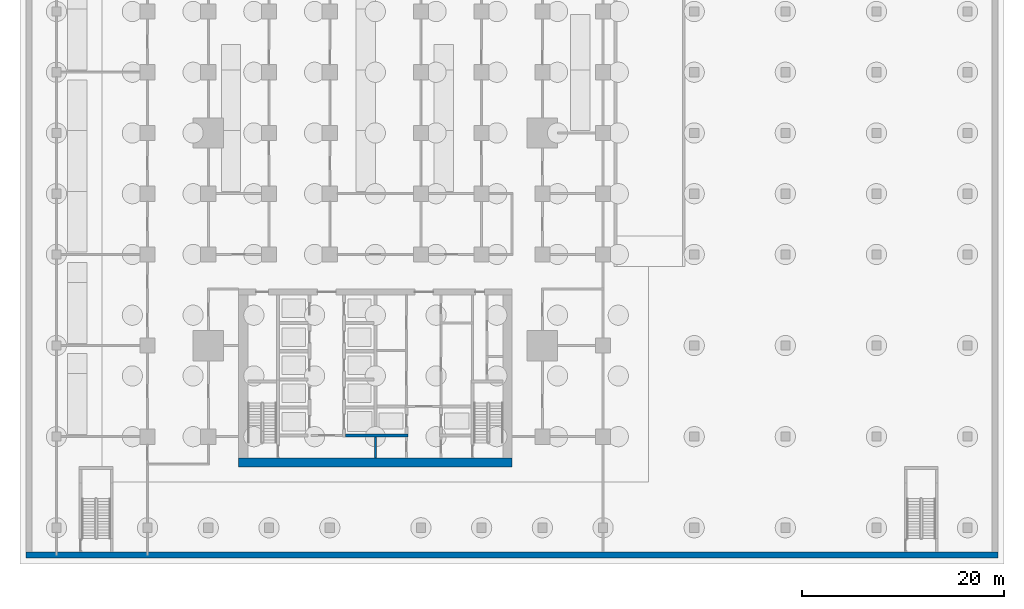
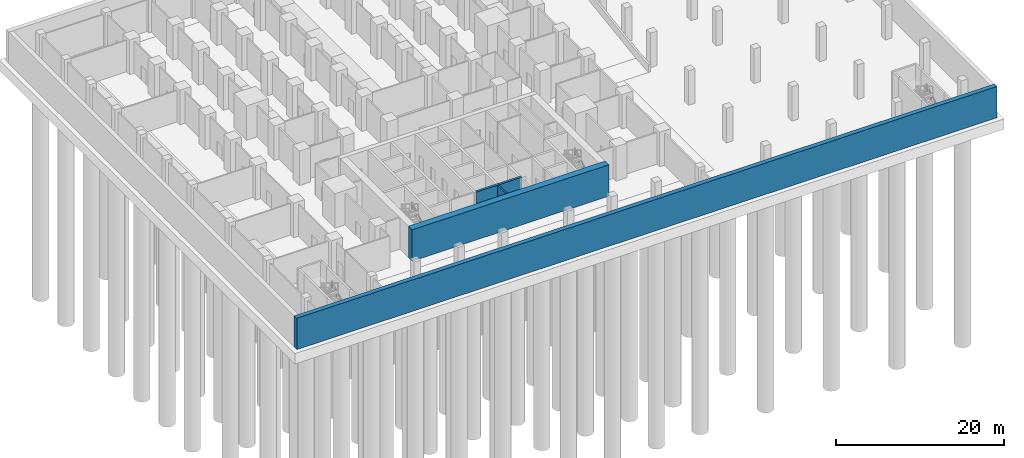
# One storey, part 5 of 12: 4 walls.
"""IFC4 building model written with IfcOpenShell, lengths in metres."""

from ifc_helpers import new_model, si_unit, direction, frame, frame_2d, origin, place, context, subcontext, project, spatial, rectangle, extrude, material, layer, layer_set, type_object, element, save


model = new_model("IFC4")

# Units and contexts
model_context = context("Model", 3, precision=1e-05, world=origin(), true_north=direction((0.0, 1.0)))
body_context = subcontext(model_context, "Body", "Model", "MODEL_VIEW")
ifc_project = project(units=[si_unit("LENGTHUNIT", "METRE"), si_unit("AREAUNIT", "SQUARE_METRE"), si_unit("VOLUMEUNIT", "CUBIC_METRE"), si_unit("PLANEANGLEUNIT", "RADIAN"), si_unit("MASSUNIT", "GRAM", prefix="KILO")], contexts=[model_context])

# Site, building, storey
site_placement = place(None, origin())
site = spatial("IfcSite", under=ifc_project, at=site_placement, CompositionType="ELEMENT")
building_placement = place(site_placement, origin())
building = spatial("IfcBuilding", under=site, at=building_placement, Name="Finial Court Residences", CompositionType="ELEMENT")
storey_placement = place(building_placement, frame((0.0, 0.0, -5.0)))
storey = spatial("IfcBuildingStorey", under=building, at=storey_placement, Name="B1", CompositionType="ELEMENT", Elevation=-5.0)

# Walls
ifc_material_1 = material(Name="Concrete C40/50", Category="concrete")
ifc_layer_1 = layer(ifc_material_1, 0.60009765625)
ifc_layer_set_1 = layer_set([ifc_layer_1], Name="Basement retaining wall 600 Concrete C40/50")
wall_type_1 = type_object("IfcWallType", Name="Basement retaining wall 600 Concrete C40/50", PredefinedType="SOLIDWALL", material=ifc_layer_set_1)
wall_1_placement = place(storey_placement, frame((-34.5, -34.199951171875, 0.0), z_axis=(0.0, 0.0, 1.0), x_axis=(1.0, 0.0, 0.0)))
element("IfcWall", 1, at=wall_1_placement, inside=storey, type_object=wall_type_1, Name="S:RW:S", PredefinedType="SOLIDWALL", context=body_context, shape_type="SweptSolid", body=[
    extrude(rectangle(XDim=96.0, YDim=0.60009765625, at=frame_2d((48.0, 0.0))), origin(), (0.0, 0.0, 1.0), 4.550048828125),
])
ifc_material_2 = material(Name="Concrete C80/95", Category="concrete")
ifc_layer_2 = layer(ifc_material_2, 0.89990234375)
ifc_layer_set_2 = layer_set([ifc_layer_2], Name="Core outer wall 900 Concrete C80/95")
wall_type_2 = type_object("IfcWallType", Name="Core outer wall 900 Concrete C80/95", PredefinedType="SHEAR", material=ifc_layer_set_2)
wall_2_placement = place(storey_placement, frame((-13.5, -25.050048828125, 0.0), z_axis=(0.0, 0.0, 1.0), x_axis=(1.0, 0.0, 0.0)))
element("IfcWall", 2, at=wall_2_placement, inside=storey, type_object=wall_type_2, Name="Core outer wall B1-01", PredefinedType="SHEAR", context=body_context, shape_type="SweptSolid", body=[
    extrude(rectangle(XDim=27.0, YDim=0.89990234375, at=frame_2d((13.5, 0.0))), origin(), (0.0, 0.0, 1.0), 4.550048828125),
])
ifc_layer_3 = layer(ifc_material_2, 0.300048828125)
ifc_layer_set_3 = layer_set([ifc_layer_3], Name="Lift shaft and stair wall 300 Concrete C80/95")
wall_type_3 = type_object("IfcWallType", Name="Lift shaft and stair wall 300 Concrete C80/95", PredefinedType="SHEAR", material=ifc_layer_set_3)
wall_3_placement = place(storey_placement, frame((-2.949951171875, -22.39990234375, 0.0), z_axis=(0.0, 0.0, 1.0), x_axis=(1.0, 0.0, 0.0)))
element("IfcWall", 3, at=wall_3_placement, inside=storey, type_object=wall_type_3, Name="Core wall B1-03", PredefinedType="SHEAR", context=body_context, shape_type="SweptSolid", body=[
    extrude(rectangle(XDim=6.199951171875, YDim=0.300048828125, at=frame_2d((3.10009765625, 0.0))), origin(), (0.0, 0.0, 1.0), 4.550048828125),
])
ifc_material_3 = material(Name="Fire-rated gypsum board partition")
ifc_layer_4 = layer(ifc_material_3, 0.199951171875)
ifc_layer_set_4 = layer_set([ifc_layer_4], Name="Riser room wall 200 EI 120")
wall_type_4 = type_object("IfcWallType", Name="Riser room wall 200 EI 120", PredefinedType="PARTITIONING", material=ifc_layer_set_4)
wall_4_placement = place(storey_placement, frame((0.0, -24.60009765625, 0.0), z_axis=(0.0, 0.0, 1.0), x_axis=(0.0, 1.0, 0.0)))
element("IfcWall", 4, at=wall_4_placement, inside=storey, type_object=wall_type_4, Name="Core partition B1-25", PredefinedType="PARTITIONING", context=body_context, shape_type="SweptSolid", body=[
    extrude(rectangle(XDim=2.050048828125, YDim=0.199951171875, at=frame_2d((1.02490234375, 0.0))), origin(), (0.0, 0.0, 1.0), 4.550048828125),
])

save(model, "model.ifc")
